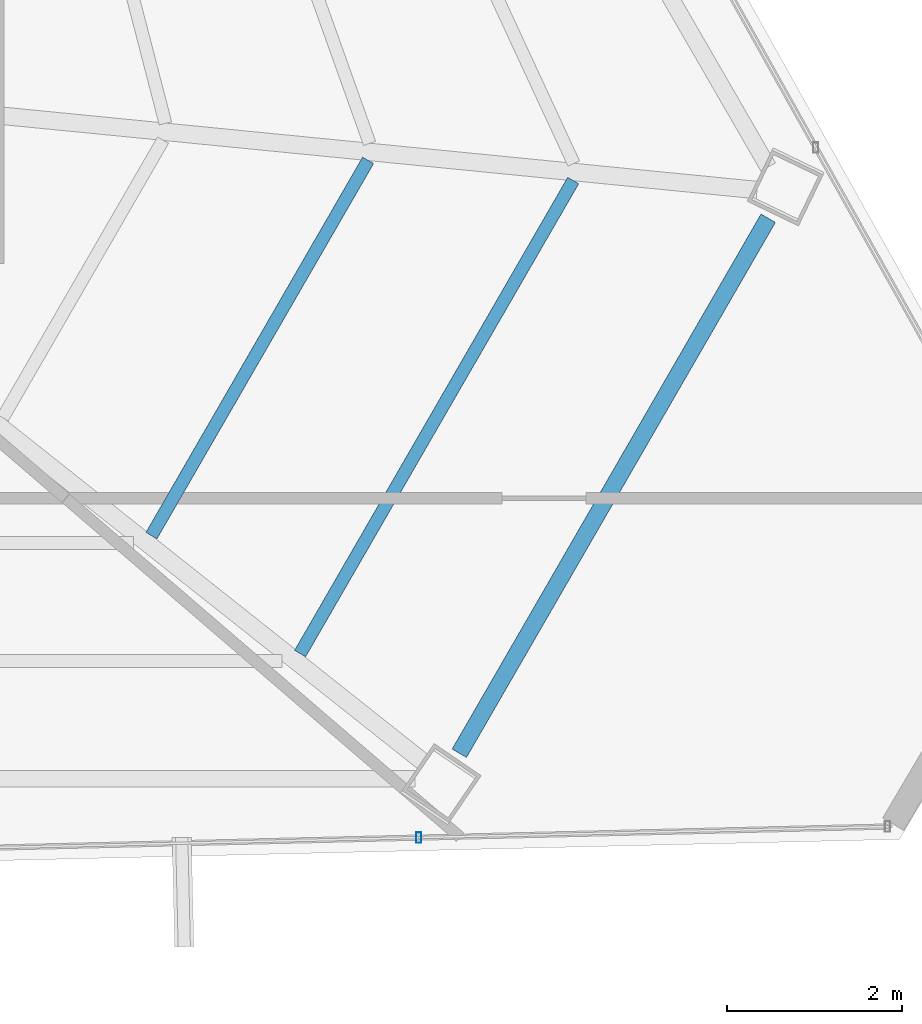
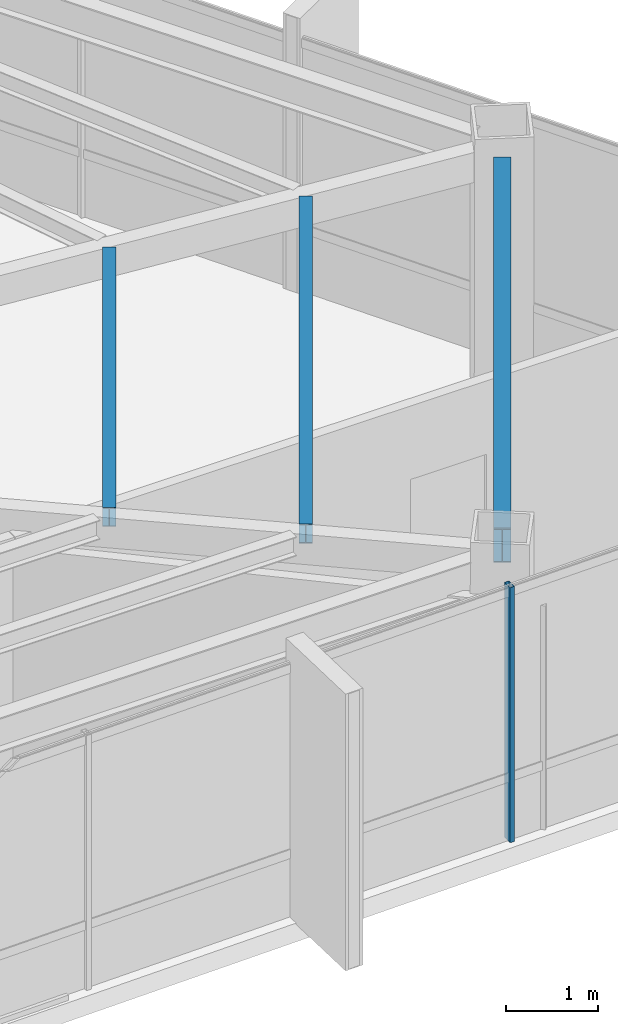
# One storey, part 21 of 46: 3 beams, 1 member, 1 element without a shape of its own.
"""IFC4 building model written with IfcOpenShell, lengths in metres."""

from ifc_helpers import new_model, si_unit, direction, frame, origin, origin_2d, place, context, subcontext, project, spatial, hollow_rectangle, i_section, extrude, source, transform, mapped, material, material_profile, profile_set, type_object, type_shapes, element, aggregate, save


model = new_model("IFC4")

# Units and contexts
model_context = context("Model", 3, precision=1e-05, world=origin(), true_north=direction((0.0, 1.0)))
body_context = subcontext(model_context, "Body", "Model", "MODEL_VIEW")
ifc_project = project(units=[si_unit("LENGTHUNIT", "METRE"), si_unit("AREAUNIT", "SQUARE_METRE"), si_unit("VOLUMEUNIT", "CUBIC_METRE"), si_unit("PLANEANGLEUNIT", "RADIAN"), si_unit("MASSUNIT", "GRAM", prefix="KILO")], contexts=[model_context])

# Site, building, storey
site_placement = place(None, origin())
site = spatial("IfcSite", under=ifc_project, at=site_placement, CompositionType="ELEMENT")
building_placement = place(site_placement, origin())
building = spatial("IfcBuilding", under=site, at=building_placement, Name="Caelisora Broadcast Tower", CompositionType="ELEMENT")
storey_placement = place(building_placement, frame((0.0, 0.0, 251.75)))
storey = spatial("IfcBuildingStorey", under=building, at=storey_placement, Name="L66", CompositionType="ELEMENT", Elevation=251.75)

# Beams
ifc_material_1 = material(Name="Steel Grade 350 (AS/NZS 3679.1)", Category="steel")
ifc_material_profile_1 = material_profile(ifc_material_1, i_section(OverallWidth=0.19091796875, OverallDepth=0.46044921875, WebThickness=0.010009765625, FlangeThickness=0.01611328125, at=origin_2d()), Name="Steel Grade 350 (AS/NZS 3679.1)")
ifc_profile_set_1 = profile_set([ifc_material_profile_1], Name="Steel Grade 350 (AS/NZS 3679.1)")
beam_type_1 = type_object("IfcBeamType", Name="PG06", PredefinedType="BEAM", material=ifc_profile_set_1)
shared_shape_1 = source(origin(), body_context, "Body", "SweptSolid", [
    extrude(i_section(OverallWidth=0.19091796875, OverallDepth=0.46044921875, WebThickness=0.010009765625, FlangeThickness=0.01611328125, at=origin_2d()), origin(), (0.0, 0.0, 1.0), 7.06396484375),
])
type_shapes(beam_type_1, [shared_shape_1])
beam_1_placement = place(storey_placement, frame((55.869384765625, 9.604736328125, 3.169921875), z_axis=(0.499993700073, 0.866029041019, 0.0), x_axis=(-0.866029041019, 0.499993700073, 0.0)))
element("IfcBeam", 1, at=beam_1_placement, inside=storey, type_object=beam_type_1, Name="L66 beam PG06", PredefinedType="BEAM", context=body_context, shape_type="MappedRepresentation", body=[
    mapped(shared_shape_1, transform((0.0, 0.0, 0.0), scale=1.0)),
])
ifc_material_profile_2 = material_profile(ifc_material_1, i_section(OverallWidth=0.14599609375, OverallDepth=0.256103515625, WebThickness=0.00634765625, FlangeThickness=0.010986328125, at=origin_2d()), Name="Steel Grade 350 (AS/NZS 3679.1)")
ifc_profile_set_2 = profile_set([ifc_material_profile_2], Name="Steel Grade 350 (AS/NZS 3679.1)")
beam_type_2 = type_object("IfcBeamType", Name="SB04", PredefinedType="JOIST", material=ifc_profile_set_2)
shared_shape_2 = source(origin(), body_context, "Body", "SweptSolid", [
    extrude(i_section(OverallWidth=0.14599609375, OverallDepth=0.256103515625, WebThickness=0.00634765625, FlangeThickness=0.010986328125, at=origin_2d()), origin(), (0.0, 0.0, 1.0), 4.955078125),
])
beam_2_placement = place(storey_placement, frame((52.349365234375, 12.093017578125, 3.27197265625), z_axis=(0.499996833818, 0.866027231772, 0.0), x_axis=(-0.866027231772, 0.499996833818, 0.0)))
element("IfcBeam", 2, at=beam_2_placement, inside=storey, type_object=beam_type_2, Name="L66 beam SB04", PredefinedType="JOIST", context=body_context, shape_type="MappedRepresentation", body=[
    mapped(shared_shape_2, transform((0.0, 0.0, 0.0), scale=1.0)),
])
shared_shape_3 = source(origin(), body_context, "Body", "SweptSolid", [
    extrude(i_section(OverallWidth=0.14599609375, OverallDepth=0.256103515625, WebThickness=0.00634765625, FlangeThickness=0.010986328125, at=origin_2d()), origin(), (0.0, 0.0, 1.0), 6.244873046875),
])
type_shapes(beam_type_2, [shared_shape_2, shared_shape_3])
beam_3_placement = place(storey_placement, frame((54.04931640625, 10.7451171875, 3.27197265625), z_axis=(0.500015740354, 0.866016315896, 0.0), x_axis=(-0.866016315896, 0.500015740354, 0.0)))
element("IfcBeam", 3, at=beam_3_placement, inside=storey, type_object=beam_type_2, Name="L66 beam SB04", PredefinedType="JOIST", context=body_context, shape_type="MappedRepresentation", body=[
    mapped(shared_shape_3, transform((0.0, 0.0, 0.0), scale=1.0)),
])

# Curtain wall, member
ifc_material_2 = material(Name="Unitised Aluminium and Low-E Glass Curtain Wall", Category="glass")
curtain_wall_type = type_object("IfcCurtainWallType", Name="CW-Z5", PredefinedType="NOTDEFINED", material=ifc_material_2)
curtain_wall_placement = place(storey_placement, origin())
curtain_wall = element("IfcCurtainWall", 4, at=curtain_wall_placement, inside=storey, type_object=curtain_wall_type, Name="L66 curtain wall CW-Z5", PredefinedType="NOTDEFINED")
ifc_material_3 = material(Name="Aluminium 6063-T6 Anodised Terracotta Bronze", Category="aluminium")
ifc_material_profile_3 = material_profile(ifc_material_3, hollow_rectangle(XDim=0.06005859375, YDim=0.1201171875, WallThickness=0.0029296875, at=origin_2d()), Name="Aluminium 6063-T6 Anodised Terracotta Bronze")
ifc_profile_set_3 = profile_set([ifc_material_profile_3], Name="Aluminium 6063-T6 Anodised Terracotta Bronze")
member_type = type_object("IfcMemberType", Name="CWM-04", PredefinedType="MULLION", material=ifc_profile_set_3)
shared_shape_4 = source(origin(), body_context, "Body", "SweptSolid", [
    extrude(hollow_rectangle(XDim=0.06005859375, YDim=0.1201171875, WallThickness=0.0029296875, at=origin_2d()), origin(), (0.0, 0.0, 1.0), 3.39990234375),
])
type_shapes(member_type, [shared_shape_4])
member_placement = place(storey_placement, frame((55.40478515625, 8.640625, 0.0), z_axis=(0.0, 0.0, 1.0), x_axis=(1.0, 0.0, 0.0)))
member = element("IfcMember", 5, at=member_placement, type_object=member_type, Name="L66-CW-B05 mullion #1", PredefinedType="MULLION", context=body_context, shape_type="MappedRepresentation", body=[
    mapped(shared_shape_4, transform((0.0, 0.0, 0.0), scale=1.0)),
])
aggregate(curtain_wall, [member])

save(model, "model.ifc")
